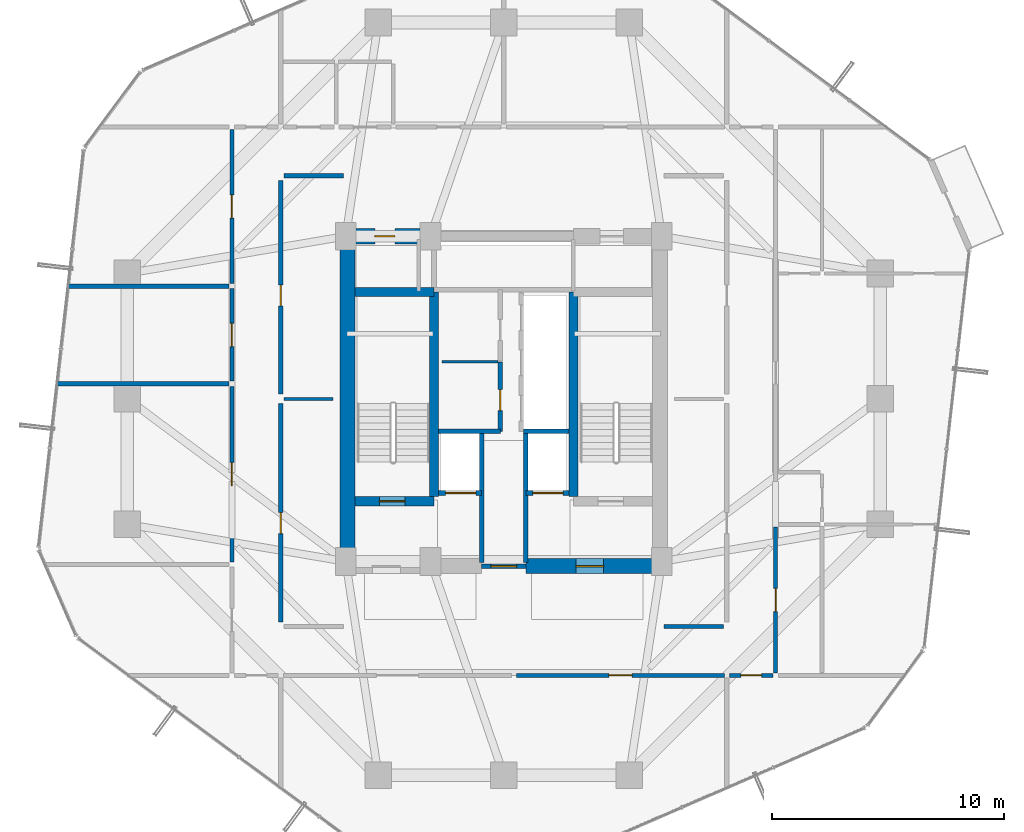
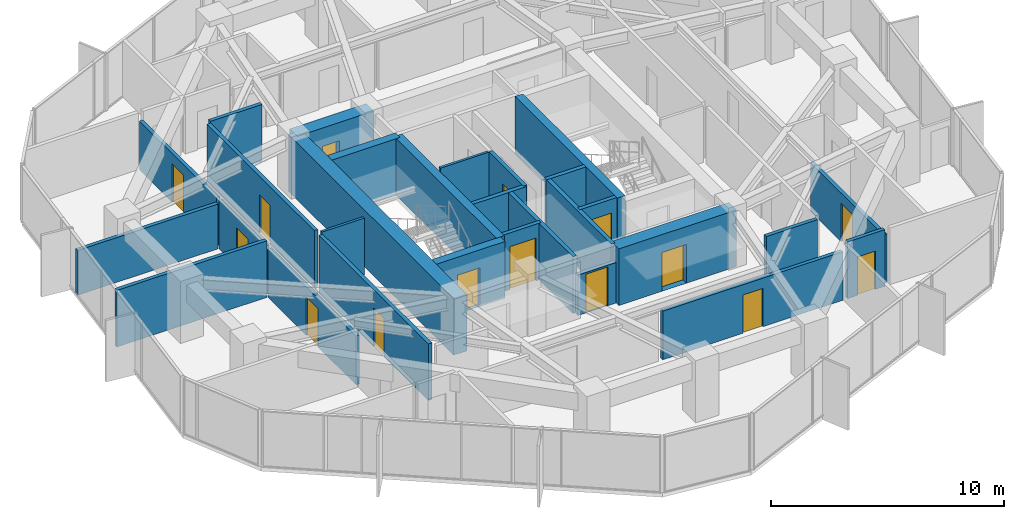
# One storey, part 25 of 29: 29 walls, 15 doors, 15 openings.
"""IFC4 building model written with IfcOpenShell, lengths in metres."""

from ifc_helpers import new_model, si_unit, direction, frame, frame_2d, origin, place, context, subcontext, project, spatial, rectangle, extrude, source, transform, mapped, material, layer, layer_set, type_object, element, fill, save


model = new_model("IFC4")

# Units and contexts
model_context = context("Model", 3, precision=1e-05, world=origin(), true_north=direction((0.0, 1.0)))
body_context = subcontext(model_context, "Body", "Model", "MODEL_VIEW")
ifc_project = project(units=[si_unit("LENGTHUNIT", "METRE"), si_unit("AREAUNIT", "SQUARE_METRE"), si_unit("VOLUMEUNIT", "CUBIC_METRE"), si_unit("PLANEANGLEUNIT", "RADIAN"), si_unit("MASSUNIT", "GRAM", prefix="KILO")], contexts=[model_context])

# Site, building, storey
site_placement = place(None, origin())
site = spatial("IfcSite", under=ifc_project, at=site_placement, CompositionType="ELEMENT")
building_placement = place(site_placement, origin())
building = spatial("IfcBuilding", under=site, at=building_placement, Name="Veraguas Prism Commons", CompositionType="ELEMENT")
storey_placement = place(building_placement, frame((0.0, 0.0, 105.699951171875)))
storey = spatial("IfcBuildingStorey", under=building, at=storey_placement, Name="L29", CompositionType="ELEMENT", Elevation=105.699951171875)

# Wall, opening, door
ifc_material_1 = material(Name="Concrete C50/60", Category="concrete")
ifc_layer_1 = layer(ifc_material_1, 0.39990234375, Name="Clinic and Mid Core Shear Wall RC 400", Category="concrete")
ifc_layer_set_1 = layer_set([ifc_layer_1], Name="Concrete C50/60")
wall_type_1 = type_object("IfcWallType", Name="Clinic and Mid Core Shear Wall RC 400", PredefinedType="SHEAR", material=ifc_layer_set_1)
wall_1_placement = place(storey_placement, frame((17.60009765625, 19.60009765625, 0.0), z_axis=(0.0, 0.0, 1.0), x_axis=(1.0, 0.0, 0.0)))
wall_1 = element("IfcWall", 1, at=wall_1_placement, inside=storey, type_object=wall_type_1, Name="Stair ST-01 South Shear Wall L29", PredefinedType="SHEAR", context=body_context, shape_type="SweptSolid", body=[
    extrude(rectangle(XDim=3.39990234375, YDim=0.39990234375, at=frame_2d((1.699951171875, 0.0))), origin(), (0.0, 0.0, 1.0), 2.969970703125),
])
opening_1_placement = place(wall_1_placement, frame((1.050048828125, 0.0, 0.0)))
opening_1 = element("IfcOpeningElement", 2, at=opening_1_placement, cuts=wall_1, Name="Opening DR-05", PredefinedType="OPENING", context=body_context, shape_type="SweptSolid", body=[
    extrude(rectangle(XDim=1.10009765625, YDim=2.030029296875, at=frame_2d((0.550048828125, 1.01513671875))), frame((0.0, 0.2099609375, 0.0), z_axis=(0.0, -1.0, 0.0), x_axis=(1.0, 0.0, 0.0)), (0.0, 0.0, 1.0), 0.419921875),
])
ifc_material_2 = material(Name="Steel fire-rated door assembly", Category="steel")
door_type_1 = type_object("IfcDoorType", Name="Protected Stair and Refuge Fire Door 1100x2030", OperationType="NOTDEFINED", PredefinedType="DOOR", material=ifc_material_2)
shared_shape_1 = source(origin(), body_context, "Body", "SweptSolid", [
    extrude(rectangle(XDim=1.10009765625, YDim=2.030029296875, at=frame_2d((0.550048828125, 1.01513671875))), frame((0.0, 0.02490234375, 0.0), z_axis=(0.0, -1.0, 0.0), x_axis=(1.0, 0.0, 0.0)), (0.0, 0.0, 1.0), 0.050048828125),
])
door_1_placement = place(opening_1_placement, origin())
door_1 = element("IfcDoor", 3, at=door_1_placement, inside=storey, type_object=door_type_1, Name="Stair ST-01 Enclosure Door L29", OperationType="SINGLE_SWING_RIGHT", OverallHeight=2.030029296875, OverallWidth=1.10009765625, PredefinedType="DOOR", context=body_context, shape_type="MappedRepresentation", body=[
    mapped(shared_shape_1, transform((0.0, 0.0, 0.0), scale=1.0)),
])
fill(opening_1, door_1)

# Walls
for number, where, z_axis, x_axis, name in (
    (4, (21.0, 19.800048828125, 0.0), (0.0, 0.0, 1.0), (0.0, 1.0, 0.0), "Stair ST-01 Inner Shear Wall L29"),
    (5, (27.0, 19.800048828125, 0.0), (0.0, 0.0, 1.0), (0.0, 1.0, 0.0), "Stair ST-02 Inner Shear Wall L29"),
):
    element("IfcWall", number, at=place(storey_placement, frame(where, z_axis=z_axis, x_axis=x_axis)), inside=storey, type_object=wall_type_1, Name=name, PredefinedType="SHEAR", context=body_context, shape_type="SweptSolid", body=[
        extrude(rectangle(XDim=8.800048828125, YDim=0.39990234375, at=frame_2d((4.39990234375, 0.0))), origin(), (0.0, 0.0, 1.0), 2.969970703125),
    ])
wall_2_placement = place(storey_placement, frame((17.60009765625, 28.60009765625, 0.0), z_axis=(0.0, 0.0, 1.0), x_axis=(1.0, 0.0, 0.0)))
element("IfcWall", 6, at=wall_2_placement, inside=storey, type_object=wall_type_1, Name="Stair ST-01 North Shear Wall L29", PredefinedType="SHEAR", context=body_context, shape_type="SweptSolid", body=[
    extrude(rectangle(XDim=3.39990234375, YDim=0.39990234375, at=frame_2d((1.699951171875, 0.0))), origin(), (0.0, 0.0, 1.0), 2.969970703125),
])
ifc_material_3 = material(Name="Concrete C55/67", Category="concrete")
ifc_layer_2 = layer(ifc_material_3, 0.64990234375, Name="Core Outer Shear Wall Mid RC 650", Category="concrete")
ifc_layer_set_2 = layer_set([ifc_layer_2], Name="Concrete C55/67")
wall_type_2 = type_object("IfcWallType", Name="Core Outer Shear Wall Mid RC 650", PredefinedType="SHEAR", material=ifc_layer_set_2)
wall_3_placement = place(storey_placement, frame((17.27490234375, 16.800048828125, 0.0), z_axis=(0.0, 0.0, 1.0), x_axis=(0.0, 1.0, 0.0)))
element("IfcWall", 7, at=wall_3_placement, inside=storey, type_object=wall_type_2, Name="Central Core West Shear Wall L29", PredefinedType="SHEAR", context=body_context, shape_type="SweptSolid", body=[
    extrude(rectangle(XDim=14.199951171875, YDim=0.64990234375, at=frame_2d((7.10009765625, 0.0))), origin(), (0.0, 0.0, 1.0), 2.969970703125),
])

# Wall, opening, door
wall_4_placement = place(storey_placement, frame((24.949951171875, 16.800048828125, 0.0), z_axis=(0.0, 0.0, 1.0), x_axis=(1.0, 0.0, 0.0)))
wall_4 = element("IfcWall", 8, at=wall_4_placement, inside=storey, type_object=wall_type_2, Name="Central Core South-East Shear Wall L29", PredefinedType="SHEAR", context=body_context, shape_type="SweptSolid", body=[
    extrude(rectangle(XDim=5.85009765625, YDim=0.64990234375, at=frame_2d((2.925048828125, 0.0))), origin(), (0.0, 0.0, 1.0), 2.969970703125),
])
opening_2_placement = place(wall_4_placement, frame((2.14990234375, 0.0, 0.0)))
opening_2 = element("IfcOpeningElement", 9, at=opening_2_placement, cuts=wall_4, Name="Opening DR-06", PredefinedType="OPENING", context=body_context, shape_type="SweptSolid", body=[
    extrude(rectangle(XDim=1.199951171875, YDim=2.030029296875, at=frame_2d((0.60009765625, 1.01513671875))), frame((0.0, 0.3349609375, 0.0), z_axis=(0.0, -1.0, 0.0), x_axis=(1.0, 0.0, 0.0)), (0.0, 0.0, 1.0), 0.669921875),
])
door_type_2 = type_object("IfcDoorType", Name="Firefighting Lobby Smoke Door 1200x2030", OperationType="NOTDEFINED", PredefinedType="DOOR", material=ifc_material_2)
shared_shape_2 = source(origin(), body_context, "Body", "SweptSolid", [
    extrude(rectangle(XDim=1.199951171875, YDim=2.030029296875, at=frame_2d((0.60009765625, 1.01513671875))), frame((0.0, 0.02490234375, 0.0), z_axis=(0.0, -1.0, 0.0), x_axis=(1.0, 0.0, 0.0)), (0.0, 0.0, 1.0), 0.050048828125),
])
door_2_placement = place(opening_2_placement, origin())
door_2 = element("IfcDoor", 10, at=door_2_placement, inside=storey, type_object=door_type_2, Name="East FF Lobby Door L29", OperationType="SINGLE_SWING_LEFT", OverallHeight=2.030029296875, OverallWidth=1.199951171875, PredefinedType="DOOR", context=body_context, shape_type="MappedRepresentation", body=[
    mapped(shared_shape_2, transform((0.0, 0.0, 0.0), scale=1.0)),
])
fill(opening_2, door_2)

wall_5_placement = place(storey_placement, frame((17.199951171875, 31.0, 0.0), z_axis=(0.0, 0.0, 1.0), x_axis=(1.0, 0.0, 0.0)))
wall_5 = element("IfcWall", 11, at=wall_5_placement, inside=storey, type_object=wall_type_2, Name="Central Core North-West Shear Wall L29", PredefinedType="SHEAR", context=body_context, shape_type="SweptSolid", body=[
    extrude(rectangle(XDim=3.800048828125, YDim=0.64990234375, at=frame_2d((1.89990234375, 0.0))), origin(), (0.0, 0.0, 1.0), 2.969970703125),
])
opening_3_placement = place(wall_5_placement, frame((1.25, 0.0, 0.0)))
opening_3 = element("IfcOpeningElement", 12, at=opening_3_placement, cuts=wall_5, Name="Opening DR-12", PredefinedType="OPENING", context=body_context, shape_type="SweptSolid", body=[
    extrude(rectangle(XDim=0.860107421875, YDim=2.010009765625, at=frame_2d((0.43017578125, 1.0048828125))), frame((0.0, 0.3349609375, 0.0), z_axis=(0.0, -1.0, 0.0), x_axis=(1.0, 0.0, 0.0)), (0.0, 0.0, 1.0), 0.669921875),
])
door_type_3 = type_object("IfcDoorType", Name="Core WC Fire Door 860x2010", OperationType="NOTDEFINED", PredefinedType="DOOR", material=ifc_material_2)
shared_shape_3 = source(origin(), body_context, "Body", "SweptSolid", [
    extrude(rectangle(XDim=0.860107421875, YDim=2.010009765625, at=frame_2d((0.43017578125, 1.0048828125))), frame((0.0, 0.02490234375, 0.0), z_axis=(0.0, -1.0, 0.0), x_axis=(1.0, 0.0, 0.0)), (0.0, 0.0, 1.0), 0.050048828125),
])
door_3_placement = place(opening_3_placement, origin())
door_3 = element("IfcDoor", 13, at=door_3_placement, inside=storey, type_object=door_type_3, Name="Core NW Service Door L29", OperationType="SINGLE_SWING_RIGHT", OverallHeight=2.010009765625, OverallWidth=0.860107421875, PredefinedType="DOOR", context=body_context, shape_type="MappedRepresentation", body=[
    mapped(shared_shape_3, transform((0.0, 0.0, 0.0), scale=1.0)),
])
fill(opening_3, door_3)

ifc_material_4 = material(Name="Autoclaved aerated masonry block 10 MPa", Category="masonry")
ifc_layer_3 = layer(ifc_material_4, 0.179931640625, Name="Corridor and Inter-Tenancy Partition 180", Category="masonry")
ifc_layer_set_3 = layer_set([ifc_layer_3], Name="Autoclaved aerated masonry block 10 MPa")
wall_type_3 = type_object("IfcWallType", Name="Corridor and Inter-Tenancy Partition 180", PredefinedType="PARTITIONING", material=ifc_layer_set_3)
wall_6_placement = place(storey_placement, frame((23.85009765625, 22.60009765625, 0.0), z_axis=(0.0, 0.0, 1.0), x_axis=(0.0, 1.0, 0.0)))
wall_6 = element("IfcWall", 14, at=wall_6_placement, inside=storey, type_object=wall_type_3, Name="Co-op Pantry Partition L29", PredefinedType="PARTITIONING", context=body_context, shape_type="SweptSolid", body=[
    extrude(rectangle(XDim=2.97998046875, YDim=0.179931640625, at=frame_2d((1.489990234375, 0.0))), origin(), (0.0, 0.0, 1.0), 2.969970703125),
])
opening_4_placement = place(wall_6_placement, frame((0.89990234375, 0.0, 0.0)))
opening_4 = element("IfcOpeningElement", 15, at=opening_4_placement, cuts=wall_6, Name="Opening DR-14", PredefinedType="OPENING", context=body_context, shape_type="SweptSolid", body=[
    extrude(rectangle(XDim=0.89990234375, YDim=2.010009765625, at=frame_2d((0.449951171875, 1.0048828125))), frame((0.0, 0.099853515625, 0.0), z_axis=(0.0, -1.0, 0.0), x_axis=(1.0, 0.0, 0.0)), (0.0, 0.0, 1.0), 0.199951171875),
])
door_type_4 = type_object("IfcDoorType", Name="Core Service Room Fire Door 900x2010", OperationType="NOTDEFINED", PredefinedType="DOOR", material=ifc_material_2)
shared_shape_4 = source(origin(), body_context, "Body", "SweptSolid", [
    extrude(rectangle(XDim=0.89990234375, YDim=2.010009765625, at=frame_2d((0.449951171875, 1.0048828125))), frame((0.0, 0.02490234375, 0.0), z_axis=(0.0, -1.0, 0.0), x_axis=(1.0, 0.0, 0.0)), (0.0, 0.0, 1.0), 0.050048828125),
])
door_4_placement = place(opening_4_placement, origin())
door_4 = element("IfcDoor", 16, at=door_4_placement, inside=storey, type_object=door_type_4, Name="Co-op Pantry Door L29", OperationType="SINGLE_SWING_RIGHT", OverallHeight=2.010009765625, OverallWidth=0.89990234375, PredefinedType="DOOR", context=body_context, shape_type="MappedRepresentation", body=[
    mapped(shared_shape_4, transform((0.0, 0.0, 0.0), scale=1.0)),
])
fill(opening_4, door_4)

wall_7_placement = place(storey_placement, frame((14.39990234375, 14.39990234375, 0.0), z_axis=(0.0, 0.0, 1.0), x_axis=(0.0, 1.0, 0.0)))
wall_7 = element("IfcWall", 17, at=wall_7_placement, inside=storey, type_object=wall_type_3, Name="WL-L29-IRW1", PredefinedType="PARTITIONING", context=body_context, shape_type="SweptSolid", body=[
    extrude(rectangle(XDim=9.400146484375, YDim=0.179931640625, at=frame_2d((4.7001953125, 0.0))), origin(), (0.0, 0.0, 1.0), 2.969970703125),
])
opening_5_placement = place(wall_7_placement, frame((3.800048828125, 0.0, 0.0)))
opening_5 = element("IfcOpeningElement", 18, at=opening_5_placement, cuts=wall_7, Name="Opening DR-14", PredefinedType="OPENING", context=body_context, shape_type="SweptSolid", body=[
    extrude(rectangle(XDim=0.89990234375, YDim=2.010009765625, at=frame_2d((0.449951171875, 1.0048828125))), frame((0.0, 0.099853515625, 0.0), z_axis=(0.0, -1.0, 0.0), x_axis=(1.0, 0.0, 0.0)), (0.0, 0.0, 1.0), 0.199951171875),
])
door_5_placement = place(opening_5_placement, origin())
door_5 = element("IfcDoor", 19, at=door_5_placement, inside=storey, type_object=door_type_4, Name="Residents Quiet Study Pod Door L29", OperationType="SINGLE_SWING_RIGHT", OverallHeight=2.010009765625, OverallWidth=0.89990234375, PredefinedType="DOOR", context=body_context, shape_type="MappedRepresentation", body=[
    mapped(shared_shape_4, transform((0.0, 0.0, 0.0), scale=1.0)),
])
fill(opening_5, door_5)

wall_8_placement = place(storey_placement, frame((14.39990234375, 24.199951171875, 0.0), z_axis=(0.0, 0.0, 1.0), x_axis=(0.0, 1.0, 0.0)))
wall_8 = element("IfcWall", 20, at=wall_8_placement, inside=storey, type_object=wall_type_3, Name="WL-L29-IRW2", PredefinedType="PARTITIONING", context=body_context, shape_type="SweptSolid", body=[
    extrude(rectangle(XDim=9.199951171875, YDim=0.179931640625, at=frame_2d((4.60009765625, 0.0))), origin(), (0.0, 0.0, 1.0), 2.969970703125),
])
opening_6_placement = place(wall_8_placement, frame((3.800048828125, 0.0, 0.0)))
opening_6 = element("IfcOpeningElement", 21, at=opening_6_placement, cuts=wall_8, Name="Opening DR-14", PredefinedType="OPENING", context=body_context, shape_type="SweptSolid", body=[
    extrude(rectangle(XDim=0.89990234375, YDim=2.010009765625, at=frame_2d((0.449951171875, 1.0048828125))), frame((0.0, 0.099853515625, 0.0), z_axis=(0.0, -1.0, 0.0), x_axis=(1.0, 0.0, 0.0)), (0.0, 0.0, 1.0), 0.199951171875),
])
door_6_placement = place(opening_6_placement, origin())
door_6 = element("IfcDoor", 22, at=door_6_placement, inside=storey, type_object=door_type_4, Name="Co-op Cycle and Pram Store Door L29", OperationType="SINGLE_SWING_LEFT", OverallHeight=2.010009765625, OverallWidth=0.89990234375, PredefinedType="DOOR", context=body_context, shape_type="MappedRepresentation", body=[
    mapped(shared_shape_4, transform((0.0, 0.0, 0.0), scale=1.0)),
])
fill(opening_6, door_6)

# Walls
for number, where, z_axis, x_axis, name in (
    (23, (14.550048828125, 33.60009765625, 0.0), (0.0, 0.0, 1.0), (1.0, 0.0, 0.0), "WL-L29-IRWN"),
    (24, (30.89990234375, 14.199951171875, 0.0), (0.0, 0.0, 1.0), (1.0, 0.0, 0.0), "WL-L29-IRES"),
):
    element("IfcWall", number, at=place(storey_placement, frame(where, z_axis=z_axis, x_axis=x_axis)), inside=storey, type_object=wall_type_3, Name=name, PredefinedType="PARTITIONING", context=body_context, shape_type="SweptSolid", body=[
        extrude(rectangle(XDim=2.550048828125, YDim=0.179931640625, at=frame_2d((1.27490234375, 0.0))), origin(), (0.0, 0.0, 1.0), 2.969970703125),
    ])

# Wall, opening, door
wall_9_placement = place(storey_placement, frame((24.553955078125, 12.10009765625, 0.0), z_axis=(0.0, 0.0, 1.0), x_axis=(1.0, 0.0, 0.0)))
wall_9 = element("IfcWall", 25, at=wall_9_placement, inside=storey, type_object=wall_type_3, Name="WL-L29-PT004", PredefinedType="PARTITIONING", context=body_context, shape_type="SweptSolid", body=[
    extrude(rectangle(XDim=8.93603515625, YDim=0.179931640625, at=frame_2d((4.468017578125, 0.0))), origin(), (0.0, 0.0, 1.0), 2.550048828125),
])
opening_7_placement = place(wall_9_placement, frame((3.968017578125, 0.0, 0.0)))
opening_7 = element("IfcOpeningElement", 26, at=opening_7_placement, cuts=wall_9, Name="Opening DR-13", PredefinedType="OPENING", context=body_context, shape_type="SweptSolid", body=[
    extrude(rectangle(XDim=1.0, YDim=2.010009765625, at=frame_2d((0.5, 1.0048828125))), frame((0.0, 0.099853515625, 0.0), z_axis=(0.0, -1.0, 0.0), x_axis=(1.0, 0.0, 0.0)), (0.0, 0.0, 1.0), 0.199951171875),
])
door_type_5 = type_object("IfcDoorType", Name="Core Accessible WC and Clinic Fire Door 1000x2010", OperationType="NOTDEFINED", PredefinedType="DOOR", material=ifc_material_2)
shared_shape_5 = source(origin(), body_context, "Body", "SweptSolid", [
    extrude(rectangle(XDim=1.0, YDim=2.010009765625, at=frame_2d((0.5, 1.0048828125))), frame((0.0, 0.02490234375, 0.0), z_axis=(0.0, -1.0, 0.0), x_axis=(1.0, 0.0, 0.0)), (0.0, 0.0, 1.0), 0.050048828125),
])
door_7_placement = place(opening_7_placement, origin())
door_7 = element("IfcDoor", 27, at=door_7_placement, inside=storey, type_object=door_type_5, Name="Community Multipurpose Assembly Hall Door 2", OperationType="SINGLE_SWING_LEFT", OverallHeight=2.010009765625, OverallWidth=1.0, PredefinedType="DOOR", context=body_context, shape_type="MappedRepresentation", body=[
    mapped(shared_shape_5, transform((0.0, 0.0, 0.0), scale=1.0)),
])
fill(opening_7, door_7)

wall_10_placement = place(storey_placement, frame((12.300048828125, 16.97998046875, 0.0), z_axis=(0.0, 0.0, 1.0), x_axis=(0.0, 1.0, 0.0)))
wall_10 = element("IfcWall", 28, at=wall_10_placement, inside=storey, type_object=wall_type_3, Name="WL-L29-PT019", PredefinedType="PARTITIONING", context=body_context, shape_type="SweptSolid", body=[
    extrude(rectangle(XDim=7.56201171875, YDim=0.179931640625, at=frame_2d((3.781005859375, 0.0))), origin(), (0.0, 0.0, 1.0), 2.550048828125),
])
opening_8_placement = place(wall_10_placement, frame((3.281005859375, 0.0, 0.0)))
opening_8 = element("IfcOpeningElement", 29, at=opening_8_placement, cuts=wall_10, Name="Opening DR-13", PredefinedType="OPENING", context=body_context, shape_type="SweptSolid", body=[
    extrude(rectangle(XDim=1.0, YDim=2.010009765625, at=frame_2d((0.5, 1.0048828125))), frame((0.0, 0.099853515625, 0.0), z_axis=(0.0, -1.0, 0.0), x_axis=(1.0, 0.0, 0.0)), (0.0, 0.0, 1.0), 0.199951171875),
])
door_8_placement = place(opening_8_placement, origin())
door_8 = element("IfcDoor", 30, at=door_8_placement, inside=storey, type_object=door_type_5, Name="Co-op Store W Door", OperationType="SINGLE_SWING_LEFT", OverallHeight=2.010009765625, OverallWidth=1.0, PredefinedType="DOOR", context=body_context, shape_type="MappedRepresentation", body=[
    mapped(shared_shape_5, transform((0.0, 0.0, 0.0), scale=1.0)),
])
fill(opening_8, door_8)

# Wall
wall_11_placement = place(storey_placement, frame((12.179931640625, 24.652099609375, 0.0), z_axis=(0.0, 0.0, 1.0), x_axis=(-1.0, 0.0, 0.0)))
element("IfcWall", 31, at=wall_11_placement, inside=storey, type_object=wall_type_3, Name="WL-L29-PT021", PredefinedType="PARTITIONING", context=body_context, shape_type="SweptSolid", body=[
    extrude(rectangle(XDim=7.44189453125, YDim=0.179931640625, at=frame_2d((3.720947265625, 0.0))), origin(), (0.0, 0.0, 1.0), 2.969970703125),
])

# Wall, opening, door
wall_12_placement = place(storey_placement, frame((12.300048828125, 24.761962890625, 0.0), z_axis=(0.0, 0.0, 1.0), x_axis=(0.0, 1.0, 0.0)))
wall_12 = element("IfcWall", 32, at=wall_12_placement, inside=storey, type_object=wall_type_3, Name="WL-L29-PT022", PredefinedType="PARTITIONING", context=body_context, shape_type="SweptSolid", body=[
    extrude(rectangle(XDim=3.97802734375, YDim=0.179931640625, at=frame_2d((1.989013671875, 0.0))), origin(), (0.0, 0.0, 1.0), 2.550048828125),
])
opening_9_placement = place(wall_12_placement, frame((1.489013671875, 0.0, 0.0)))
opening_9 = element("IfcOpeningElement", 33, at=opening_9_placement, cuts=wall_12, Name="Opening DR-13", PredefinedType="OPENING", context=body_context, shape_type="SweptSolid", body=[
    extrude(rectangle(XDim=1.0, YDim=2.010009765625, at=frame_2d((0.5, 1.0048828125))), frame((0.0, 0.099853515625, 0.0), z_axis=(0.0, -1.0, 0.0), x_axis=(1.0, 0.0, 0.0)), (0.0, 0.0, 1.0), 0.199951171875),
])
door_9_placement = place(opening_9_placement, origin())
door_9 = element("IfcDoor", 34, at=door_9_placement, inside=storey, type_object=door_type_5, Name="Shared Laundry Room Door", OperationType="SINGLE_SWING_RIGHT", OverallHeight=2.010009765625, OverallWidth=1.0, PredefinedType="DOOR", context=body_context, shape_type="MappedRepresentation", body=[
    mapped(shared_shape_5, transform((0.0, 0.0, 0.0), scale=1.0)),
])
fill(opening_9, door_9)

wall_13_placement = place(storey_placement, frame((12.300048828125, 28.9599609375, 0.0), z_axis=(0.0, 0.0, 1.0), x_axis=(0.0, 1.0, 0.0)))
wall_13 = element("IfcWall", 35, at=wall_13_placement, inside=storey, type_object=wall_type_3, Name="WL-L29-PT023", PredefinedType="PARTITIONING", context=body_context, shape_type="SweptSolid", body=[
    extrude(rectangle(XDim=6.630126953125, YDim=0.179931640625, at=frame_2d((3.31494140625, 0.0))), origin(), (0.0, 0.0, 1.0), 2.550048828125),
])
opening_10_placement = place(wall_13_placement, frame((2.81494140625, 0.0, 0.0)))
opening_10 = element("IfcOpeningElement", 36, at=opening_10_placement, cuts=wall_13, Name="Opening DR-13", PredefinedType="OPENING", context=body_context, shape_type="SweptSolid", body=[
    extrude(rectangle(XDim=1.0, YDim=2.010009765625, at=frame_2d((0.5, 1.0048828125))), frame((0.0, 0.099853515625, 0.0), z_axis=(0.0, -1.0, 0.0), x_axis=(1.0, 0.0, 0.0)), (0.0, 0.0, 1.0), 0.199951171875),
])
door_10_placement = place(opening_10_placement, origin())
door_10 = element("IfcDoor", 37, at=door_10_placement, inside=storey, type_object=door_type_5, Name="Co-op Store W Door", OperationType="SINGLE_SWING_LEFT", OverallHeight=2.010009765625, OverallWidth=1.0, PredefinedType="DOOR", context=body_context, shape_type="MappedRepresentation", body=[
    mapped(shared_shape_5, transform((0.0, 0.0, 0.0), scale=1.0)),
])
fill(opening_10, door_10)

# Wall
wall_14_placement = place(storey_placement, frame((12.179931640625, 28.85009765625, 0.0), z_axis=(0.0, 0.0, 1.0), x_axis=(-1.0, 0.0, 0.0)))
element("IfcWall", 38, at=wall_14_placement, inside=storey, type_object=wall_type_3, Name="WL-L29-PT024", PredefinedType="PARTITIONING", context=body_context, shape_type="SweptSolid", body=[
    extrude(rectangle(XDim=6.965087890625, YDim=0.179931640625, at=frame_2d((3.482421875, 0.0))), origin(), (0.0, 0.0, 1.0), 2.34814453125),
])

# Wall, opening, door
wall_15_placement = place(storey_placement, frame((35.699951171875, 12.2099609375, 0.0), z_axis=(0.0, 0.0, 1.0), x_axis=(0.0, 1.0, 0.0)))
wall_15 = element("IfcWall", 39, at=wall_15_placement, inside=storey, type_object=wall_type_3, Name="WL-L29-PT027", PredefinedType="PARTITIONING", context=body_context, shape_type="SweptSolid", body=[
    extrude(rectangle(XDim=6.280029296875, YDim=0.179931640625, at=frame_2d((3.14013671875, 0.0))), origin(), (0.0, 0.0, 1.0), 2.550048828125),
])
opening_11_placement = place(wall_15_placement, frame((2.639892578125, 0.0, 0.0)))
opening_11 = element("IfcOpeningElement", 40, at=opening_11_placement, cuts=wall_15, Name="Opening DR-13", PredefinedType="OPENING", context=body_context, shape_type="SweptSolid", body=[
    extrude(rectangle(XDim=1.0, YDim=2.010009765625, at=frame_2d((0.5, 1.0048828125))), frame((0.0, 0.099853515625, 0.0), z_axis=(0.0, -1.0, 0.0), x_axis=(1.0, 0.0, 0.0)), (0.0, 0.0, 1.0), 0.199951171875),
])
door_11_placement = place(opening_11_placement, origin())
door_11 = element("IfcDoor", 41, at=door_11_placement, inside=storey, type_object=door_type_5, Name="Residents Study Alcove 29A Door", OperationType="SINGLE_SWING_RIGHT", OverallHeight=2.010009765625, OverallWidth=1.0, PredefinedType="DOOR", context=body_context, shape_type="MappedRepresentation", body=[
    mapped(shared_shape_5, transform((0.0, 0.0, 0.0), scale=1.0)),
])
fill(opening_11, door_11)

wall_16_placement = place(storey_placement, frame((33.719970703125, 12.10009765625, 0.0), z_axis=(0.0, 0.0, 1.0), x_axis=(1.0, 0.0, 0.0)))
wall_16 = element("IfcWall", 42, at=wall_16_placement, inside=storey, type_object=wall_type_3, Name="WL-L29-PT038", PredefinedType="PARTITIONING", context=body_context, shape_type="SweptSolid", body=[
    extrude(rectangle(XDim=1.860107421875, YDim=0.179931640625, at=frame_2d((0.93017578125, 0.0))), origin(), (0.0, 0.0, 1.0), 2.969970703125),
])
opening_12_placement = place(wall_16_placement, frame((0.47998046875, 0.0, 0.0)))
opening_12 = element("IfcOpeningElement", 43, at=opening_12_placement, cuts=wall_16, Name="Opening DR-14", PredefinedType="OPENING", context=body_context, shape_type="SweptSolid", body=[
    extrude(rectangle(XDim=0.89990234375, YDim=2.010009765625, at=frame_2d((0.449951171875, 1.0048828125))), frame((0.0, 0.099853515625, 0.0), z_axis=(0.0, -1.0, 0.0), x_axis=(1.0, 0.0, 0.0)), (0.0, 0.0, 1.0), 0.199951171875),
])
door_12_placement = place(opening_12_placement, origin())
door_12 = element("IfcDoor", 44, at=door_12_placement, inside=storey, type_object=door_type_4, Name="Residents Cycle and Pram Store SE Door", OperationType="SINGLE_SWING_LEFT", OverallHeight=2.010009765625, OverallWidth=0.89990234375, PredefinedType="DOOR", context=body_context, shape_type="MappedRepresentation", body=[
    mapped(shared_shape_4, transform((0.0, 0.0, 0.0), scale=1.0)),
])
fill(opening_12, door_12)

# Walls
ifc_material_5 = material(Name="Lightweight acoustic gypsum board")
ifc_layer_4 = layer(ifc_material_5, 0.125, Name="Internal Apartment Room Partition 125")
ifc_layer_set_4 = layer_set([ifc_layer_4], Name="Lightweight acoustic gypsum board")
wall_type_4 = type_object("IfcWallType", Name="Internal Apartment Room Partition 125", PredefinedType="PARTITIONING", material=ifc_layer_set_4)
wall_17_placement = place(storey_placement, frame((21.35009765625, 25.60009765625, 0.0), z_axis=(0.0, 0.0, 1.0), x_axis=(1.0, 0.0, 0.0)))
element("IfcWall", 45, at=wall_17_placement, inside=storey, type_object=wall_type_4, Name="WL-L29-FRWLM", PredefinedType="PARTITIONING", context=body_context, shape_type="SweptSolid", body=[
    extrude(rectangle(XDim=2.39990234375, YDim=0.125, at=frame_2d((1.199951171875, 0.0))), origin(), (0.0, 0.0, 1.0), 2.969970703125),
])
wall_18_placement = place(storey_placement, frame((14.550048828125, 24.0, 0.0), z_axis=(0.0, 0.0, 1.0), x_axis=(1.0, 0.0, 0.0)))
element("IfcWall", 46, at=wall_18_placement, inside=storey, type_object=wall_type_4, Name="WL-L29-IRWM", PredefinedType="PARTITIONING", context=body_context, shape_type="SweptSolid", body=[
    extrude(rectangle(XDim=2.099853515625, YDim=0.125, at=frame_2d((1.0498046875, 0.0))), origin(), (0.0, 0.0, 1.0), 2.969970703125),
])

# Wall, opening, door
ifc_layer_5 = layer(ifc_material_4, 0.199951171875, Name="Rated Shaft and Lobby Block Wall 200", Category="masonry")
ifc_layer_set_5 = layer_set([ifc_layer_5], Name="Autoclaved aerated masonry block 10 MPa")
wall_type_5 = type_object("IfcWallType", Name="Rated Shaft and Lobby Block Wall 200", PredefinedType="SOLIDWALL", material=ifc_layer_set_5)
wall_19_placement = place(storey_placement, frame((23.050048828125, 16.800048828125, 0.0), z_axis=(0.0, 0.0, 1.0), x_axis=(1.0, 0.0, 0.0)))
wall_19 = element("IfcWall", 47, at=wall_19_placement, inside=storey, type_object=wall_type_5, Name="Central Core Lobby Entrance Wall L29", PredefinedType="SOLIDWALL", context=body_context, shape_type="SweptSolid", body=[
    extrude(rectangle(XDim=1.89990234375, YDim=0.199951171875, at=frame_2d((0.949951171875, 0.0))), origin(), (0.0, 0.0, 1.0), 2.1201171875),
])
opening_13_placement = place(wall_19_placement, frame((0.39990234375, 0.0, 0.0)))
opening_13 = element("IfcOpeningElement", 48, at=opening_13_placement, cuts=wall_19, Name="Opening DR-05", PredefinedType="OPENING", context=body_context, shape_type="SweptSolid", body=[
    extrude(rectangle(XDim=1.10009765625, YDim=2.030029296875, at=frame_2d((0.550048828125, 1.01513671875))), frame((0.0, 0.10986328125, 0.0), z_axis=(0.0, -1.0, 0.0), x_axis=(1.0, 0.0, 0.0)), (0.0, 0.0, 1.0), 0.219970703125),
])
door_13_placement = place(opening_13_placement, origin())
door_13 = element("IfcDoor", 49, at=door_13_placement, inside=storey, type_object=door_type_1, Name="Central Lobby Door L29", OperationType="SINGLE_SWING_RIGHT", OverallHeight=2.030029296875, OverallWidth=1.10009765625, PredefinedType="DOOR", context=body_context, shape_type="MappedRepresentation", body=[
    mapped(shared_shape_1, transform((0.0, 0.0, 0.0), scale=1.0)),
])
fill(opening_13, door_13)

wall_20_placement = place(storey_placement, frame((21.199951171875, 19.949951171875, 0.0), z_axis=(0.0, 0.0, 1.0), x_axis=(1.0, 0.0, 0.0)))
wall_20 = element("IfcWall", 50, at=wall_20_placement, inside=storey, type_object=wall_type_5, Name="Firefighting Lift FFL-1 Front Wall L29", PredefinedType="SOLIDWALL", context=body_context, shape_type="SweptSolid", body=[
    extrude(rectangle(XDim=1.85009765625, YDim=0.199951171875, at=frame_2d((0.925048828125, 0.0))), origin(), (0.0, 0.0, 1.0), 2.969970703125),
])
opening_14_placement = place(wall_20_placement, frame((0.300048828125, 0.0, 0.0)))
opening_14 = element("IfcOpeningElement", 51, at=opening_14_placement, cuts=wall_20, Name="Opening LD-02", PredefinedType="OPENING", context=body_context, shape_type="SweptSolid", body=[
    extrude(rectangle(XDim=1.300048828125, YDim=2.25, at=frame_2d((0.64990234375, 1.125))), frame((0.0, 0.10986328125, 0.0), z_axis=(0.0, -1.0, 0.0), x_axis=(1.0, 0.0, 0.0)), (0.0, 0.0, 1.0), 0.219970703125),
])
ifc_material_6 = material(Name="Stainless steel AISI 316", Category="steel")
door_type_6 = type_object("IfcDoorType", Name="Firefighting Lift Sliding Landing Door 1300x2250", OperationType="NOTDEFINED", PredefinedType="DOOR", material=ifc_material_6)
shared_shape_6 = source(origin(), body_context, "Body", "SweptSolid", [
    extrude(rectangle(XDim=1.300048828125, YDim=2.25, at=frame_2d((0.64990234375, 1.125))), frame((0.0, 0.02490234375, 0.0), z_axis=(0.0, -1.0, 0.0), x_axis=(1.0, 0.0, 0.0)), (0.0, 0.0, 1.0), 0.050048828125),
])
door_14_placement = place(opening_14_placement, origin())
door_14 = element("IfcDoor", 52, at=door_14_placement, inside=storey, type_object=door_type_6, Name="Firefighting Lift FFL-1 Landing Door L29", OperationType="SLIDING_TO_LEFT", OverallHeight=2.25, OverallWidth=1.300048828125, PredefinedType="DOOR", context=body_context, shape_type="MappedRepresentation", body=[
    mapped(shared_shape_6, transform((0.0, 0.0, 0.0), scale=1.0)),
])
fill(opening_14, door_14)

wall_21_placement = place(storey_placement, frame((24.949951171875, 19.949951171875, 0.0), z_axis=(0.0, 0.0, 1.0), x_axis=(1.0, 0.0, 0.0)))
wall_21 = element("IfcWall", 53, at=wall_21_placement, inside=storey, type_object=wall_type_5, Name="Firefighting Lift FFL-2 Front Wall L29", PredefinedType="SOLIDWALL", context=body_context, shape_type="SweptSolid", body=[
    extrude(rectangle(XDim=1.85009765625, YDim=0.199951171875, at=frame_2d((0.925048828125, 0.0))), origin(), (0.0, 0.0, 1.0), 2.969970703125),
])
opening_15_placement = place(wall_21_placement, frame((0.300048828125, 0.0, 0.0)))
opening_15 = element("IfcOpeningElement", 54, at=opening_15_placement, cuts=wall_21, Name="Opening LD-02", PredefinedType="OPENING", context=body_context, shape_type="SweptSolid", body=[
    extrude(rectangle(XDim=1.300048828125, YDim=2.25, at=frame_2d((0.64990234375, 1.125))), frame((0.0, 0.10986328125, 0.0), z_axis=(0.0, -1.0, 0.0), x_axis=(1.0, 0.0, 0.0)), (0.0, 0.0, 1.0), 0.219970703125),
])
door_15_placement = place(opening_15_placement, origin())
door_15 = element("IfcDoor", 55, at=door_15_placement, inside=storey, type_object=door_type_6, Name="Firefighting Lift FFL-2 Front Wall L29", OperationType="SLIDING_TO_LEFT", OverallHeight=2.25, OverallWidth=1.300048828125, PredefinedType="DOOR", context=body_context, shape_type="MappedRepresentation", body=[
    mapped(shared_shape_6, transform((0.0, 0.0, 0.0), scale=1.0)),
])
fill(opening_15, door_15)

# Walls
for number, where, z_axis, x_axis, name in (
    (56, (23.050048828125, 16.949951171875, 0.0), (0.0, 0.0, 1.0), (0.0, 1.0, 0.0), "West FF Lobby Divider Wall L29"),
    (57, (24.949951171875, 16.949951171875, 0.0), (0.0, 0.0, 1.0), (0.0, 1.0, 0.0), "East FF Lobby Divider Wall L29"),
):
    element("IfcWall", number, at=place(storey_placement, frame(where, z_axis=z_axis, x_axis=x_axis)), inside=storey, type_object=wall_type_5, Name=name, PredefinedType="SOLIDWALL", context=body_context, shape_type="SweptSolid", body=[
        extrude(rectangle(XDim=5.60009765625, YDim=0.199951171875, at=frame_2d((2.800048828125, 0.0))), origin(), (0.0, 0.0, 1.0), 2.969970703125),
    ])
wall_22_placement = place(storey_placement, frame((21.199951171875, 22.60009765625, 0.0), z_axis=(0.0, 0.0, 1.0), x_axis=(1.0, 0.0, 0.0)))
element("IfcWall", 58, at=wall_22_placement, inside=storey, type_object=wall_type_5, Name="Firefighting Lift FFL-1 Rear Wall L29", PredefinedType="SOLIDWALL", context=body_context, shape_type="SweptSolid", body=[
    extrude(rectangle(XDim=2.650146484375, YDim=0.199951171875, at=frame_2d((1.3251953125, 0.0))), origin(), (0.0, 0.0, 1.0), 2.969970703125),
])
wall_23_placement = place(storey_placement, frame((24.85009765625, 22.60009765625, 0.0), z_axis=(0.0, 0.0, 1.0), x_axis=(1.0, 0.0, 0.0)))
element("IfcWall", 59, at=wall_23_placement, inside=storey, type_object=wall_type_5, Name="Firefighting Lift FFL-2 Rear Wall L29", PredefinedType="SOLIDWALL", context=body_context, shape_type="SweptSolid", body=[
    extrude(rectangle(XDim=1.949951171875, YDim=0.199951171875, at=frame_2d((0.97509765625, 0.0))), origin(), (0.0, 0.0, 1.0), 2.969970703125),
])

save(model, "model.ifc")
